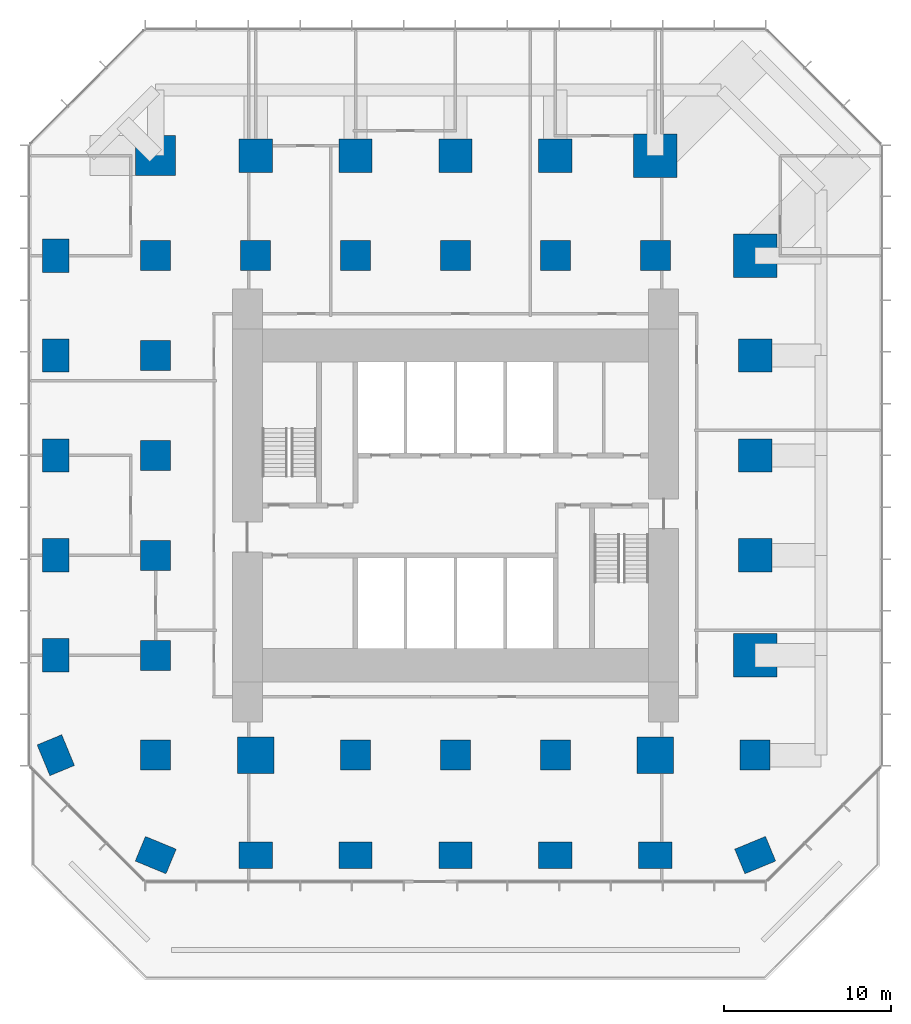
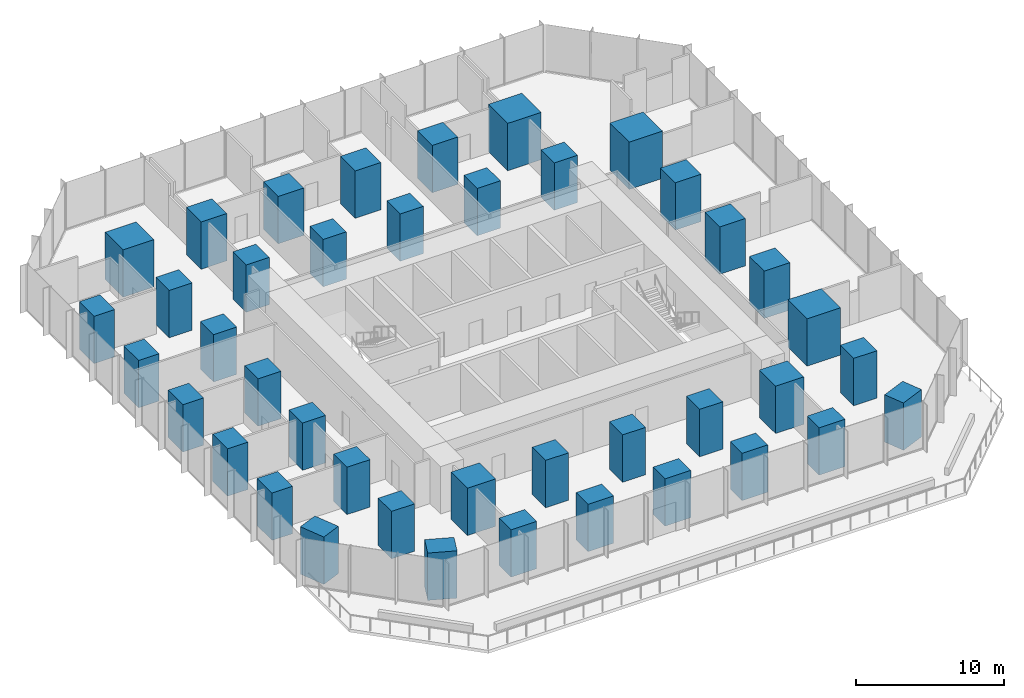
# One storey, part 1 of 12: 41 columns.
"""IFC4 building model written with IfcOpenShell, lengths in metres."""

import ifcopenshell
import ifcopenshell.guid

model = None  # the IFC model being written
_history = None  # IfcOwnerHistory: only IFC2X3 demands one
_inside = {}  # id of a spatial element -> (the spatial element, [elements in it])
_under = {}  # id of a project, library or spatial element -> (it, [spatial elements below it])
_declared = {}  # id of a project -> (the project, [libraries it declares])
_typed = {}  # id of a type object -> (the type object, [elements of that type])
_made_of = {}  # id of a material, layer set ... -> (it, [elements and type objects made of it])


def new_model(schema):
    """Start an empty IFC model of exactly this schema.

    Asked for "IFC4X3", IfcOpenShell would pick the latest addendum, in which some entities
    have other attributes; the version numbers below select the first issue.
    IFC2X3 requires an IfcOwnerHistory on every rooted entity: one is made here for all.
    """
    global model, _history
    if schema == "IFC4X3":
        model = ifcopenshell.file(schema_version=(4, 3, 0, 0))
    else:
        model = ifcopenshell.file(schema=schema)
    _inside.clear()
    _under.clear()
    _declared.clear()
    _typed.clear()
    _made_of.clear()
    _history = None
    if model.schema == "IFC2X3":
        org = make("IfcOrganization", Name="unknown")
        user = make(
            "IfcPersonAndOrganization",
            ThePerson=make("IfcPerson", FamilyName="unknown"),
            TheOrganization=org,
        )
        app = make(
            "IfcApplication",
            ApplicationDeveloper=org,
            Version="unknown",
            ApplicationFullName="unknown",
            ApplicationIdentifier="unknown",
        )
        _history = make(
            "IfcOwnerHistory",
            OwningUser=user,
            OwningApplication=app,
            ChangeAction="ADDED",
            CreationDate=0,
        )
    return model


def make(cls, **values):
    """One entity of the class cls with the attributes given. An attribute that is None is left unset."""
    return model.create_entity(
        cls, **{name: value for name, value in values.items() if value is not None}
    )


def rooted(cls, **values):
    """An entity with a GlobalId (a new one), such as an element, a storey or a relation."""
    return make(cls, GlobalId=ifcopenshell.guid.new(), OwnerHistory=_history, **values)


def si_unit(unit_type, name, prefix=None):
    """IfcSIUnit, for example si_unit("LENGTHUNIT", "METRE", prefix="MILLI")."""
    return make("IfcSIUnit", UnitType=unit_type, Prefix=prefix, Name=name)


def assignment(units):
    """IfcUnitAssignment: the units of a project."""
    return None if units is None else make("IfcUnitAssignment", Units=units)


def point(xyz):
    """IfcCartesianPoint."""
    return None if xyz is None else make("IfcCartesianPoint", Coordinates=xyz)


def direction(xyz):
    """IfcDirection."""
    return None if xyz is None else make("IfcDirection", DirectionRatios=xyz)


def frame(location, z_axis=None, x_axis=None):
    """IfcAxis2Placement3D, a coordinate frame: its origin and axes. An axis left out is left unset."""
    return make(
        "IfcAxis2Placement3D",
        Location=point(location),
        Axis=direction(z_axis),
        RefDirection=direction(x_axis),
    )


def frame_2d(location, x_axis=None):
    """IfcAxis2Placement2D, a coordinate frame in the plane: its origin and x axis."""
    return make(
        "IfcAxis2Placement2D", Location=point(location), RefDirection=direction(x_axis)
    )


def origin():
    """The frame at (0, 0, 0) with its axes left unset."""
    return frame((0.0, 0.0, 0.0))


def origin_2d():
    """The frame at (0, 0) in the plane with its x axis left unset."""
    return frame_2d((0.0, 0.0))


def place(relative_to, where):
    """IfcLocalPlacement: puts the frame where relative to a parent placement (None: the world)."""
    return make(
        "IfcLocalPlacement", PlacementRelTo=relative_to, RelativePlacement=where
    )


def context(
    kind, dimensions, precision=None, world=None, true_north=None, identifier=None
):
    """IfcGeometricRepresentationContext, for example the 3D "Model" context."""
    return make(
        "IfcGeometricRepresentationContext",
        ContextIdentifier=identifier,
        ContextType=kind,
        CoordinateSpaceDimension=dimensions,
        Precision=precision,
        WorldCoordinateSystem=world,
        TrueNorth=true_north,
    )


def subcontext(parent, identifier, kind, view, scale=None):
    """IfcGeometricRepresentationSubContext, for example "Body" below "Model"."""
    return make(
        "IfcGeometricRepresentationSubContext",
        ContextIdentifier=identifier,
        ContextType=kind,
        ParentContext=parent,
        TargetScale=scale,
        TargetView=view,
    )


def project(units=None, contexts=None):
    """IfcProject with its units and contexts."""
    return rooted(
        "IfcProject",
        Name="project",
        RepresentationContexts=contexts,
        UnitsInContext=assignment(units),
    )


def spatial(cls, under=None, at=None, **own):
    """A site, building, storey or space (cls), placed at a placement, below another one or the project."""
    s = rooted(cls, ObjectPlacement=at, **own)
    if under is not None:
        _under.setdefault(under.id(), (under, []))[1].append(s)
    return s


def profile(cls, at=None, kind="AREA", **sizes):
    """A parametric profile (cls). Its sizes go by their IFC names, for example OverallWidth=200.0."""
    return make(cls, ProfileType=kind, Position=at, **sizes)


def rectangle(**sizes):
    """IfcRectangleProfileDef."""
    return profile("IfcRectangleProfileDef", **sizes)


def extrude(swept, where, along, depth):
    """IfcExtrudedAreaSolid: the profile swept, set in the frame where, extruded along a direction by depth."""
    return make(
        "IfcExtrudedAreaSolid",
        SweptArea=swept,
        Position=where,
        ExtrudedDirection=direction(along),
        Depth=depth,
    )


def shape(context_of_items, identifier, shape_type, items):
    """IfcShapeRepresentation: the items that make up one representation, for example the "Body"."""
    return make(
        "IfcShapeRepresentation",
        ContextOfItems=context_of_items,
        RepresentationIdentifier=identifier,
        RepresentationType=shape_type,
        Items=items,
    )


def material(Name=None, Category=None):
    """IfcMaterial."""
    return make("IfcMaterial", Name=Name, Category=Category)


def material_profile(
    of_material, cross_section, Name=None, Category=None, Priority=None
):
    """IfcMaterialProfile: a cross section and its material."""
    return make(
        "IfcMaterialProfile",
        Name=Name,
        Material=of_material,
        Profile=cross_section,
        Priority=Priority,
        Category=Category,
    )


def profile_set(profiles, Name=None, composite=None):
    """IfcMaterialProfileSet."""
    return make(
        "IfcMaterialProfileSet",
        Name=Name,
        MaterialProfiles=profiles,
        CompositeProfile=composite,
    )


def made_of(thing, what):
    """Note that an element or type object is made of a material, layer set ...; save() writes the relation."""
    if what is not None:
        _made_of.setdefault(what.id(), (what, []))[1].append(thing)
    return thing


def type_object(cls, material=None, **own):
    """A type object (cls), such as IfcWallType, which elements share."""
    return made_of(rooted(cls, **own), material)


def element(
    cls,
    number,
    at=None,
    inside=None,
    cuts=None,
    type_object=None,
    material=None,
    context=None,
    identifier="Body",
    shape_type=None,
    held_by="IfcProductDefinitionShape",
    body=None,
    shapes=None,
    **own,
):
    """One element of the class cls, such as IfcWall. Its Tag is "e" and its number.

    at: its placement. inside: the storey or other place that contains it. cuts: it is an
    opening in that element (IfcRelVoidsElement). A single representation is given by context,
    identifier, shape_type and body (its items); several are given by shapes. held_by: the class
    of the entity that holds the representations. save() writes the other relations.
    """
    e = rooted(cls, Tag="e%d" % number, ObjectPlacement=at, **own)
    if body is not None:
        shapes = [shape(context, identifier, shape_type, body)]
    if shapes is not None:
        e.Representation = make(held_by, Representations=shapes)
    if inside is not None:
        _inside.setdefault(inside.id(), (inside, []))[1].append(e)
    if cuts is not None:
        rooted(
            "IfcRelVoidsElement", RelatingBuildingElement=cuts, RelatedOpeningElement=e
        )
    if type_object is not None:
        _typed.setdefault(type_object.id(), (type_object, []))[1].append(e)
    return made_of(e, material)


def aggregate(whole, parts):
    """IfcRelAggregates: a whole, such as a stair, and the parts it consists of."""
    return rooted("IfcRelAggregates", RelatingObject=whole, RelatedObjects=parts)


def save(model, path):
    """Write the relations noted so far, then the file.

    IfcRelAggregates (storeys below a building ...), IfcRelContainedInSpatialStructure (elements
    in a storey), IfcRelDefinesByType, IfcRelAssociatesMaterial and IfcRelDeclares: one each for
    every whole, place, type object, material and project.
    """
    for whole, parts in _under.values():
        aggregate(whole, parts)
    for where, things in _inside.values():
        rooted(
            "IfcRelContainedInSpatialStructure",
            RelatedElements=things,
            RelatingStructure=where,
        )
    for kind, things in _typed.values():
        rooted("IfcRelDefinesByType", RelatedObjects=things, RelatingType=kind)
    for what, things in _made_of.values():
        rooted("IfcRelAssociatesMaterial", RelatedObjects=things, RelatingMaterial=what)
    for by, libraries in _declared.values():
        rooted("IfcRelDeclares", RelatingContext=by, RelatedDefinitions=libraries)
    model.write(path)


model = new_model("IFC4")

# Units and contexts
model_context = context("Model", 3, precision=1e-05, world=origin(), true_north=direction((0.0, 1.0)))
body_context = subcontext(model_context, "Body", "Model", "MODEL_VIEW")
ifc_project = project(units=[si_unit("LENGTHUNIT", "METRE"), si_unit("AREAUNIT", "SQUARE_METRE"), si_unit("VOLUMEUNIT", "CUBIC_METRE"), si_unit("PLANEANGLEUNIT", "RADIAN"), si_unit("MASSUNIT", "GRAM", prefix="KILO")], contexts=[model_context])

# Site, building, storey
site_placement = place(None, origin())
site = spatial("IfcSite", under=ifc_project, at=site_placement, CompositionType="ELEMENT")
building_placement = place(site_placement, origin())
building = spatial("IfcBuilding", under=site, at=building_placement, Name="Highveld Stack Headquarters", CompositionType="ELEMENT")
storey_placement = place(building_placement, frame((0.0, 0.0, 65.0)))
storey = spatial("IfcBuildingStorey", under=building, at=storey_placement, Name="L15", CompositionType="ELEMENT", Elevation=65.0)

# Columns
ifc_material_1 = material(Name="Concrete C60/75", Category="concrete")
ifc_material_profile_1 = material_profile(ifc_material_1, rectangle(XDim=1.800048828125, YDim=1.800048828125, at=origin_2d()), Name="RC 1800x1800")
ifc_profile_set_1 = profile_set([ifc_material_profile_1], Name="Concrete C60/75")
column_type_1 = type_object("IfcColumnType", Name="COLUMN RC 1800x1800 C60/75", PredefinedType="COLUMN", material=ifc_profile_set_1)
for number, where, z_axis, x_axis, name in (
    (1, (-12.0, -12.0, 0.0), (0.0, 0.0, 1.0), (1.0, 0.0, 0.0), "Column 4/C L15"),
    (2, (-12.0, -6.0, 0.0), (0.0, 0.0, 1.0), (1.0, 0.0, 0.0), "Column 4/D L15"),
    (3, (-12.0, 0.0, 0.0), (0.0, 0.0, 1.0), (1.0, 0.0, 0.0), "Column 4/E L15"),
    (4, (-12.0, 6.0, 0.0), (0.0, 0.0, 1.0), (1.0, 0.0, 0.0), "Column 4/F L15"),
    (5, (-12.0, 12.0, 0.0), (0.0, 0.0, 1.0), (1.0, 0.0, 0.0), "Column 4/G L15"),
    (6, (-12.0, 18.0, 0.0), (0.0, 0.0, 1.0), (1.0, 0.0, 0.0), "Column 4/H L15"),
    (7, (-6.0, 18.0, 0.0), (0.0, 0.0, 1.0), (1.0, 0.0, 0.0), "Column 5/H L15"),
    (8, (0.0, -12.0, 0.0), (0.0, 0.0, 1.0), (1.0, 0.0, 0.0), "Column 6/C L15"),
    (9, (0.0, 18.0, 0.0), (0.0, 0.0, 1.0), (1.0, 0.0, 0.0), "Column 6/H L15"),
    (10, (6.0, -12.0, 0.0), (0.0, 0.0, 1.0), (1.0, 0.0, 0.0), "Column 7/C L15"),
    (11, (6.0, 18.0, 0.0), (0.0, 0.0, 1.0), (1.0, 0.0, 0.0), "Column 7/H L15"),
    (12, (12.0, -12.0, 0.0), (0.0, 0.0, 1.0), (1.0, 0.0, 0.0), "Column 8/C L15"),
    (13, (12.0, 18.0, 0.0), (0.0, 0.0, 1.0), (1.0, 0.0, 0.0), "Column 8/H L15"),
    (14, (18.0, 18.0, 0.0), (0.0, 0.0, 1.0), (1.0, 0.0, 0.0), "Column 9/H L15"),
    (15, (24.0, -12.0, 0.0), (0.0, 0.0, 1.0), (1.0, 0.0, 0.0), "Column 10/C L15"),
):
    element("IfcColumn", number, at=place(storey_placement, frame(where, z_axis=z_axis, x_axis=x_axis)), inside=storey, type_object=column_type_1, Name=name, PredefinedType="COLUMN", context=body_context, shape_type="SweptSolid", body=[
        extrude(rectangle(XDim=1.800048828125, YDim=1.800048828125, at=origin_2d()), origin(), (0.0, 0.0, 1.0), 3.89990234375),
    ])
ifc_material_2 = material(Name="Concrete C60/75", Category="concrete")
ifc_material_profile_2 = material_profile(ifc_material_2, rectangle(XDim=2.0, YDim=1.60009765625, at=origin_2d()), Name="RC 2000x1600")
ifc_profile_set_2 = profile_set([ifc_material_profile_2], Name="Concrete C60/75")
column_type_2 = type_object("IfcColumnType", Name="COLUMN RC 2000x1600 C60/75", PredefinedType="COLUMN", material=ifc_profile_set_2)
for number, where, z_axis, x_axis, name in (
    (16, (-18.0, -12.0, 0.0), (0.0, 0.0, 1.0), (-0.382683432365, 0.923879532511, 0.0), "Column 3/C L15"),
    (17, (-18.0, -6.0, 0.0), (0.0, 0.0, 1.0), (0.0, 1.0, 0.0), "Column 3/D L15"),
    (18, (-18.0, 0.0, 0.0), (0.0, 0.0, 1.0), (0.0, 1.0, 0.0), "Column 3/E L15"),
    (19, (-18.0, 6.0, 0.0), (0.0, 0.0, 1.0), (0.0, 1.0, 0.0), "Column 3/F L15"),
    (20, (-18.0, 12.0, 0.0), (0.0, 0.0, 1.0), (0.0, 1.0, 0.0), "Column 3/G L15"),
    (21, (-18.0, 18.0, 0.0), (0.0, 0.0, 1.0), (0.0, 1.0, 0.0), "Column 3/H L15"),
    (22, (-12.0, -18.0, 0.0), (0.0, 0.0, 1.0), (-0.923879532511, 0.382683432365, 0.0), "Column 4/B L15"),
    (23, (-6.0, -18.0, 0.0), (0.0, 0.0, 1.0), (1.0, 0.0, 0.0), "Column 5/B L15"),
    (24, (0.0, -18.0, 0.0), (0.0, 0.0, 1.0), (1.0, 0.0, 0.0), "Column 6/B L15"),
    (25, (6.0, -18.0, 0.0), (0.0, 0.0, 1.0), (1.0, 0.0, 0.0), "Column 7/B L15"),
    (26, (12.0, -18.0, 0.0), (0.0, 0.0, 1.0), (1.0, 0.0, 0.0), "Column 8/B L15"),
    (27, (18.0, -18.0, 0.0), (0.0, 0.0, 1.0), (1.0, 0.0, 0.0), "Column 9/B L15"),
    (28, (24.0, -18.0, 0.0), (0.0, 0.0, 1.0), (-0.923879532511, -0.382683432365, 0.0), "Column 10/B L15"),
):
    element("IfcColumn", number, at=place(storey_placement, frame(where, z_axis=z_axis, x_axis=x_axis)), inside=storey, type_object=column_type_2, Name=name, PredefinedType="COLUMN", context=body_context, shape_type="SweptSolid", body=[
        extrude(rectangle(XDim=2.0, YDim=1.60009765625, at=origin_2d()), origin(), (0.0, 0.0, 1.0), 3.89990234375),
    ])
ifc_material_3 = material(Name="Concrete C60/75", Category="concrete")
ifc_material_profile_3 = material_profile(ifc_material_3, rectangle(XDim=2.0, YDim=2.0, at=origin_2d()), Name="RC 2000x2000")
ifc_profile_set_3 = profile_set([ifc_material_profile_3], Name="Concrete C60/75")
column_type_3 = type_object("IfcColumnType", Name="COLUMN RC 2000x2000 C60/75", PredefinedType="COLUMN", material=ifc_profile_set_3)
for number, where, z_axis, x_axis, name in (
    (29, (-6.0, 24.0, 0.0), (0.0, 0.0, 1.0), (1.0, 0.0, 0.0), "Column 5/J L15"),
    (30, (0.0, 24.0, 0.0), (0.0, 0.0, 1.0), (1.0, 0.0, 0.0), "Column 6/J L15"),
    (31, (6.0, 24.0, 0.0), (0.0, 0.0, 1.0), (1.0, 0.0, 0.0), "Column 7/J L15"),
    (32, (12.0, 24.0, 0.0), (0.0, 0.0, 1.0), (1.0, 0.0, 0.0), "Column 8/J L15"),
    (33, (24.0, 0.0, 0.0), (0.0, 0.0, 1.0), (1.0, 0.0, 0.0), "Column 10/E L15"),
    (34, (24.0, 6.0, 0.0), (0.0, 0.0, 1.0), (1.0, 0.0, 0.0), "Column 10/F L15"),
    (35, (24.0, 12.0, 0.0), (0.0, 0.0, 1.0), (1.0, 0.0, 0.0), "Column 10/G L15"),
):
    element("IfcColumn", number, at=place(storey_placement, frame(where, z_axis=z_axis, x_axis=x_axis)), inside=storey, type_object=column_type_3, Name=name, PredefinedType="COLUMN", context=body_context, shape_type="SweptSolid", body=[
        extrude(rectangle(XDim=2.0, YDim=2.0, at=origin_2d()), origin(), (0.0, 0.0, 1.0), 3.89990234375),
    ])
ifc_material_4 = material(Name="Concrete C60/75", Category="concrete")
ifc_material_profile_4 = material_profile(ifc_material_4, rectangle(XDim=2.199951171875, YDim=2.199951171875, at=origin_2d()), Name="RC 2200x2200")
ifc_profile_set_4 = profile_set([ifc_material_profile_4], Name="Concrete C60/75")
column_type_4 = type_object("IfcColumnType", Name="COLUMN RC 2200x2200 C60/75", PredefinedType="COLUMN", material=ifc_profile_set_4)
for number, where, z_axis, x_axis, name in (
    (36, (-6.0, -12.0, 0.0), (0.0, 0.0, 1.0), (1.0, 0.0, 0.0), "Column 5/C L15"),
    (37, (18.0, -12.0, 0.0), (0.0, 0.0, 1.0), (1.0, 0.0, 0.0), "Column 9/C L15"),
):
    element("IfcColumn", number, at=place(storey_placement, frame(where, z_axis=z_axis, x_axis=x_axis)), inside=storey, type_object=column_type_4, Name=name, PredefinedType="COLUMN", context=body_context, shape_type="SweptSolid", body=[
        extrude(rectangle(XDim=2.199951171875, YDim=2.199951171875, at=origin_2d()), origin(), (0.0, 0.0, 1.0), 3.89990234375),
    ])
ifc_material_5 = material(Name="Concrete C60/75", Category="concrete")
ifc_material_profile_5 = material_profile(ifc_material_5, rectangle(XDim=2.39990234375, YDim=2.39990234375, at=origin_2d()), Name="RC 2400x2400")
ifc_profile_set_5 = profile_set([ifc_material_profile_5], Name="Concrete C60/75")
column_type_5 = type_object("IfcColumnType", Name="COLUMN RC 2400x2400 C60/75", PredefinedType="COLUMN", material=ifc_profile_set_5)
column_placement = place(storey_placement, frame((-12.0, 24.0, 0.0), z_axis=(0.0, 0.0, 1.0), x_axis=(1.0, 0.0, 0.0)))
element("IfcColumn", 38, at=column_placement, inside=storey, type_object=column_type_5, Name="Column 4/J L15", PredefinedType="COLUMN", context=body_context, shape_type="SweptSolid", body=[
    extrude(rectangle(XDim=2.39990234375, YDim=2.39990234375, at=origin_2d()), origin(), (0.0, 0.0, 1.0), 3.89990234375),
])
ifc_material_6 = material(Name="Concrete C60/75", Category="concrete")
ifc_material_profile_6 = material_profile(ifc_material_6, rectangle(XDim=2.60009765625, YDim=2.60009765625, at=origin_2d()), Name="RC 2600x2600")
ifc_profile_set_6 = profile_set([ifc_material_profile_6], Name="Concrete C60/75")
column_type_6 = type_object("IfcColumnType", Name="COLUMN RC 2600x2600 C60/75", PredefinedType="COLUMN", material=ifc_profile_set_6)
for number, where, z_axis, x_axis, name in (
    (39, (18.0, 24.0, 0.0), (0.0, 0.0, 1.0), (1.0, 0.0, 0.0), "Column 9/J L15"),
    (40, (24.0, -6.0, 0.0), (0.0, 0.0, 1.0), (1.0, 0.0, 0.0), "Column 10/D L15"),
    (41, (24.0, 18.0, 0.0), (0.0, 0.0, 1.0), (1.0, 0.0, 0.0), "Column 10/H L15"),
):
    element("IfcColumn", number, at=place(storey_placement, frame(where, z_axis=z_axis, x_axis=x_axis)), inside=storey, type_object=column_type_6, Name=name, PredefinedType="COLUMN", context=body_context, shape_type="SweptSolid", body=[
        extrude(rectangle(XDim=2.60009765625, YDim=2.60009765625, at=origin_2d()), origin(), (0.0, 0.0, 1.0), 3.89990234375),
    ])

save(model, "model.ifc")
